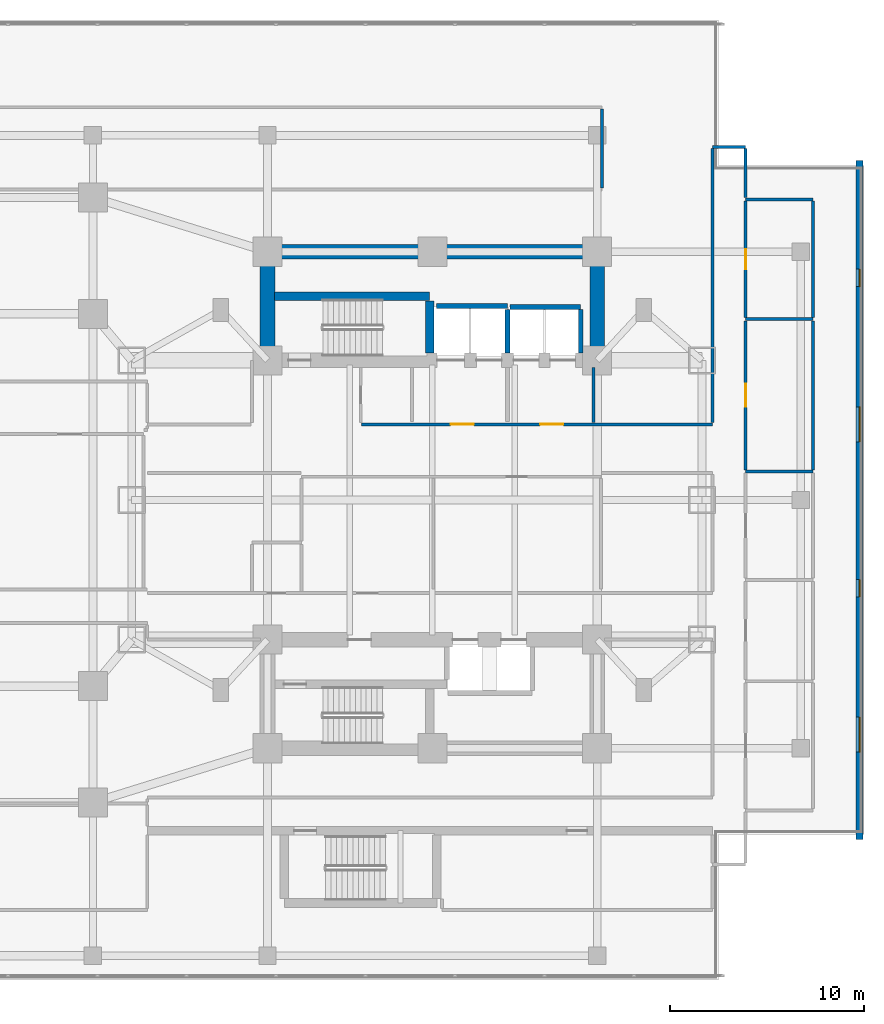
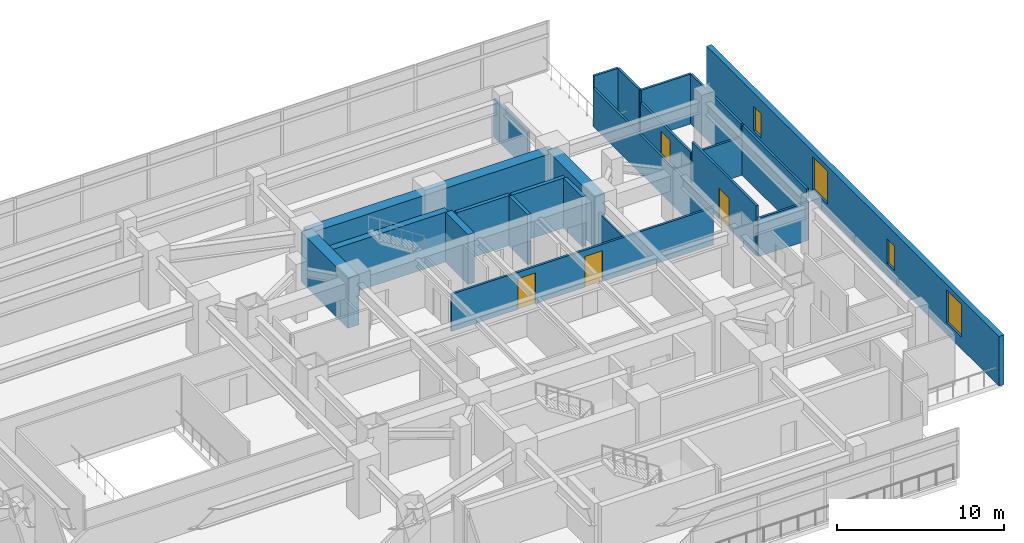
# One storey, part 18 of 26: 23 walls, 4 doors, 4 windows, 8 openings.
"""IFC4 building model written with IfcOpenShell, lengths in metres."""

from ifc_helpers import new_model, si_unit, direction, frame, frame_2d, origin, place, context, subcontext, project, spatial, rectangle, extrude, material, layer, layer_set, type_object, element, fill, save


model = new_model("IFC4")

# Units and contexts
model_context = context("Model", 3, precision=1e-05, world=origin(), true_north=direction((0.0, 1.0)))
body_context = subcontext(model_context, "Body", "Model", "MODEL_VIEW")
ifc_project = project(units=[si_unit("LENGTHUNIT", "METRE"), si_unit("AREAUNIT", "SQUARE_METRE"), si_unit("VOLUMEUNIT", "CUBIC_METRE"), si_unit("PLANEANGLEUNIT", "RADIAN"), si_unit("MASSUNIT", "GRAM", prefix="KILO")], contexts=[model_context])

# Site, building, storey
site_placement = place(None, origin())
site = spatial("IfcSite", under=ifc_project, at=site_placement, CompositionType="ELEMENT")
building_placement = place(site_placement, origin())
building = spatial("IfcBuilding", under=site, at=building_placement, Name="Mirazonda Arch Towers", CompositionType="ELEMENT")
storey_placement = place(building_placement, frame((0.0, 0.0, 13.800048828125)))
storey = spatial("IfcBuildingStorey", under=building, at=storey_placement, Name="L03", CompositionType="ELEMENT", Elevation=13.800048828125)

# Walls
ifc_material_1 = material(Name="Concrete C50/60", Category="concrete")
ifc_layer_1 = layer(ifc_material_1, 0.449951171875, Name="WALL-CORE-450")
ifc_layer_set_1 = layer_set([ifc_layer_1], Name="Concrete C50/60")
wall_type_1 = type_object("IfcWallType", Name="WALL-CORE-450", PredefinedType="SHEAR", material=ifc_layer_set_1)
wall_1_placement = place(storey_placement, frame((68.3701171875, 38.5, 0.0), z_axis=(0.0, 0.0, 1.0), x_axis=(1.0, 0.0, 0.0)))
element("IfcWall", 1, at=wall_1_placement, inside=storey, type_object=wall_type_1, Name="L03 Stair Core Shear Wall 051", PredefinedType="SHEAR", context=body_context, shape_type="SweptSolid", body=[
    extrude(rectangle(XDim=7.989990234375, YDim=0.449951171875, at=frame_2d((3.9951171875, 0.0))), origin(), (0.0, 0.0, 1.0), 3.64990234375),
])
wall_2_placement = place(storey_placement, frame((76.360107421875, 35.570068359375, 0.0), z_axis=(0.0, 0.0, 1.0), x_axis=(0.0, 1.0, 0.0)))
element("IfcWall", 2, at=wall_2_placement, inside=storey, type_object=wall_type_1, Name="L03 Stair Core Shear Wall 118", PredefinedType="SHEAR", context=body_context, shape_type="SweptSolid", body=[
    extrude(rectangle(XDim=2.69482421875, YDim=0.449951171875, at=frame_2d((1.347412109375, 0.0))), origin(), (0.0, 0.0, 1.0), 3.64990234375),
])
ifc_material_2 = material(Name="Concrete C60/75", Category="concrete")
ifc_layer_2 = layer(ifc_material_2, 0.75, Name="WALL-CORE-750")
ifc_layer_set_2 = layer_set([ifc_layer_2], Name="Concrete C60/75")
wall_type_2 = type_object("IfcWallType", Name="WALL-CORE-750", PredefinedType="SHEAR", material=ifc_layer_set_2)
wall_3_placement = place(storey_placement, frame((68.0, 40.800048828125, 0.0), z_axis=(0.0, 0.0, 1.0), x_axis=(1.0, 0.0, 0.0)))
element("IfcWall", 3, at=wall_3_placement, inside=storey, type_object=wall_type_2, Name="L03 T2N-N Core Shear Wall", PredefinedType="SHEAR", context=body_context, shape_type="SweptSolid", body=[
    extrude(rectangle(XDim=17.0, YDim=0.75, at=frame_2d((8.5, 0.0))), origin(), (0.0, 0.0, 1.0), 3.64990234375),
])
for number, where, z_axis, x_axis, name in (
    (4, (68.0, 35.199951171875, 0.0), (0.0, 0.0, 1.0), (0.0, 1.0, 0.0), "L03 T2N-W Core Shear Wall"),
    (5, (85.0, 35.199951171875, 0.0), (0.0, 0.0, 1.0), (0.0, 1.0, 0.0), "L03 T2N-E Core Shear Wall"),
):
    element("IfcWall", number, at=place(storey_placement, frame(where, z_axis=z_axis, x_axis=x_axis)), inside=storey, type_object=wall_type_2, Name=name, PredefinedType="SHEAR", context=body_context, shape_type="SweptSolid", body=[
        extrude(rectangle(XDim=5.60009765625, YDim=0.75, at=frame_2d((2.800048828125, 0.0))), origin(), (0.0, 0.0, 1.0), 3.64990234375),
    ])

# Wall, openings, windows
ifc_material_3 = material(Name="Precast Concrete C40/50", Category="concrete")
ifc_layer_3 = layer(ifc_material_3, 0.35009765625, Name="WALL-EXT-WALL-350")
ifc_layer_set_3 = layer_set([ifc_layer_3], Name="Precast Concrete C40/50")
wall_type_3 = type_object("IfcWallType", Name="WALL-EXT-WALL-350", PredefinedType="SOLIDWALL", material=ifc_layer_set_3)
wall_4_placement = place(storey_placement, frame((98.530029296875, 10.5, 0.0), z_axis=(0.0, 0.0, 1.0), x_axis=(0.0, 1.0, 0.0)))
wall_4 = element("IfcWall", 6, at=wall_4_placement, inside=storey, type_object=wall_type_3, Name="L03 East Podium Terracotta Wall WL-L03-EE", PredefinedType="SOLIDWALL", context=body_context, shape_type="SweptSolid", body=[
    extrude(rectangle(XDim=35.0, YDim=0.35009765625, at=frame_2d((17.5, 0.0))), origin(), (0.0, 0.0, 1.0), 3.6298828125),
])
opening_1_placement = place(wall_4_placement, frame((4.5, 0.0, 0.85009765625)))
opening_1 = element("IfcOpeningElement", 7, at=opening_1_placement, cuts=wall_4, Name="Opening WN-128", PredefinedType="OPENING", context=body_context, shape_type="SweptSolid", body=[
    extrude(rectangle(XDim=1.800048828125, YDim=2.39990234375, at=frame_2d((0.89990234375, 1.199951171875))), frame((0.0, 0.18505859375, 0.0), z_axis=(0.0, -1.0, 0.0), x_axis=(1.0, 0.0, 0.0)), (0.0, 0.0, 1.0), 0.3701171875),
])
opening_2_placement = place(wall_4_placement, frame((12.5, 0.0, 0.85009765625)))
opening_2 = element("IfcOpeningElement", 8, at=opening_2_placement, cuts=wall_4, Name="Opening WN-101", PredefinedType="OPENING", context=body_context, shape_type="SweptSolid", body=[
    extrude(rectangle(XDim=0.89990234375, YDim=1.800048828125, at=frame_2d((0.449951171875, 0.89990234375))), frame((0.0, 0.18505859375, 0.0), z_axis=(0.0, -1.0, 0.0), x_axis=(1.0, 0.0, 0.0)), (0.0, 0.0, 1.0), 0.3701171875),
])
opening_3_placement = place(wall_4_placement, frame((20.5, 0.0, 0.85009765625)))
opening_3 = element("IfcOpeningElement", 9, at=opening_3_placement, cuts=wall_4, Name="Opening WN-128", PredefinedType="OPENING", context=body_context, shape_type="SweptSolid", body=[
    extrude(rectangle(XDim=1.800048828125, YDim=2.39990234375, at=frame_2d((0.89990234375, 1.199951171875))), frame((0.0, 0.18505859375, 0.0), z_axis=(0.0, -1.0, 0.0), x_axis=(1.0, 0.0, 0.0)), (0.0, 0.0, 1.0), 0.3701171875),
])
opening_4_placement = place(wall_4_placement, frame((28.5, 0.0, 0.85009765625)))
opening_4 = element("IfcOpeningElement", 10, at=opening_4_placement, cuts=wall_4, Name="Opening WN-101", PredefinedType="OPENING", context=body_context, shape_type="SweptSolid", body=[
    extrude(rectangle(XDim=0.89990234375, YDim=1.800048828125, at=frame_2d((0.449951171875, 0.89990234375))), frame((0.0, 0.18505859375, 0.0), z_axis=(0.0, -1.0, 0.0), x_axis=(1.0, 0.0, 0.0)), (0.0, 0.0, 1.0), 0.3701171875),
])
ifc_material_4 = material(Name="Insulated Low-E Solar Glass", Category="glass")
window_type_1 = type_object("IfcWindowType", Name="WIN-POD-1800x2400", PartitioningType="SINGLE_PANEL", PredefinedType="WINDOW", material=ifc_material_4)
window_1_placement = place(opening_1_placement, origin())
window_1 = element("IfcWindow", 11, at=window_1_placement, inside=storey, type_object=window_type_1, Name="L03 Punched Facade Window WN-L03-EE1", OverallHeight=2.39990234375, OverallWidth=1.800048828125, PartitioningType="SINGLE_PANEL", PredefinedType="WINDOW", context=body_context, shape_type="SweptSolid", body=[
    extrude(rectangle(XDim=1.800048828125, YDim=2.39990234375, at=frame_2d((0.89990234375, 1.199951171875))), frame((0.0, 0.030029296875, 0.0), z_axis=(0.0, -1.0, 0.0), x_axis=(1.0, 0.0, 0.0)), (0.0, 0.0, 1.0), 0.06005859375),
])
fill(opening_1, window_1)
window_2_placement = place(opening_3_placement, origin())
window_2 = element("IfcWindow", 12, at=window_2_placement, inside=storey, type_object=window_type_1, Name="L03 Punched Facade Window WN-L03-EE3", OverallHeight=2.39990234375, OverallWidth=1.800048828125, PartitioningType="SINGLE_PANEL", PredefinedType="WINDOW", context=body_context, shape_type="SweptSolid", body=[
    extrude(rectangle(XDim=1.800048828125, YDim=2.39990234375, at=frame_2d((0.89990234375, 1.199951171875))), frame((0.0, 0.030029296875, 0.0), z_axis=(0.0, -1.0, 0.0), x_axis=(1.0, 0.0, 0.0)), (0.0, 0.0, 1.0), 0.06005859375),
])
fill(opening_3, window_2)
window_type_2 = type_object("IfcWindowType", Name="WIN-STAIR-900x1800", PartitioningType="SINGLE_PANEL", PredefinedType="WINDOW", material=ifc_material_4)
window_3_placement = place(opening_2_placement, origin())
window_3 = element("IfcWindow", 13, at=window_3_placement, inside=storey, type_object=window_type_2, Name="L03 Punched Facade Window WN-L03-EE2", OverallHeight=1.800048828125, OverallWidth=0.89990234375, PartitioningType="SINGLE_PANEL", PredefinedType="WINDOW", context=body_context, shape_type="SweptSolid", body=[
    extrude(rectangle(XDim=0.89990234375, YDim=1.800048828125, at=frame_2d((0.449951171875, 0.89990234375))), frame((0.0, 0.030029296875, 0.0), z_axis=(0.0, -1.0, 0.0), x_axis=(1.0, 0.0, 0.0)), (0.0, 0.0, 1.0), 0.06005859375),
])
fill(opening_2, window_3)
window_4_placement = place(opening_4_placement, origin())
window_4 = element("IfcWindow", 14, at=window_4_placement, inside=storey, type_object=window_type_2, Name="L03 Punched Facade Window WN-L03-EE4", OverallHeight=1.800048828125, OverallWidth=0.89990234375, PartitioningType="SINGLE_PANEL", PredefinedType="WINDOW", context=body_context, shape_type="SweptSolid", body=[
    extrude(rectangle(XDim=0.89990234375, YDim=1.800048828125, at=frame_2d((0.449951171875, 0.89990234375))), frame((0.0, 0.030029296875, 0.0), z_axis=(0.0, -1.0, 0.0), x_axis=(1.0, 0.0, 0.0)), (0.0, 0.0, 1.0), 0.06005859375),
])
fill(opening_4, window_4)

# Wall
ifc_material_5 = material(Name="Fire-Rated Gypsum Stud Partition")
ifc_layer_4 = layer(ifc_material_5, 0.14990234375, Name="WALL-PART-CORR-150")
ifc_layer_set_4 = layer_set([ifc_layer_4], Name="Fire-Rated Gypsum Stud Partition")
wall_type_4 = type_object("IfcWallType", Name="WALL-PART-CORR-150", PredefinedType="PARTITIONING", material=ifc_layer_set_4)
wall_5_placement = place(storey_placement, frame((92.64990234375, 29.469970703125, 0.0), z_axis=(0.0, 0.0, 1.0), x_axis=(1.0, 0.0, 0.0)))
element("IfcWall", 15, at=wall_5_placement, inside=storey, type_object=wall_type_4, Name="L03 Interior Partition 038", PredefinedType="PARTITIONING", context=body_context, shape_type="SweptSolid", body=[
    extrude(rectangle(XDim=3.47509765625, YDim=0.14990234375, at=frame_2d((1.737548828125, 0.0))), origin(), (0.0, 0.0, 1.0), 2.785888671875),
])

# Wall, openings, doors
wall_6_placement = place(storey_placement, frame((72.85009765625, 31.89990234375, 0.0), z_axis=(0.0, 0.0, 1.0), x_axis=(1.0, 0.0, 0.0)))
wall_6 = element("IfcWall", 16, at=wall_6_placement, inside=storey, type_object=wall_type_4, Name="L03 Interior Partition 044", PredefinedType="PARTITIONING", context=body_context, shape_type="SweptSolid", body=[
    extrude(rectangle(XDim=18.099853515625, YDim=0.14990234375, at=frame_2d((9.0498046875, 0.0))), origin(), (0.0, 0.0, 1.0), 2.71484375),
])
opening_5_placement = place(wall_6_placement, frame((9.2099609375, 0.0, 0.0)))
opening_5 = element("IfcOpeningElement", 17, at=opening_5_placement, cuts=wall_6, Name="Opening DR-117", PredefinedType="OPENING", context=body_context, shape_type="SweptSolid", body=[
    extrude(rectangle(XDim=1.199951171875, YDim=2.25, at=frame_2d((0.60009765625, 1.125))), frame((0.0, 0.0849609375, 0.0), z_axis=(0.0, -1.0, 0.0), x_axis=(1.0, 0.0, 0.0)), (0.0, 0.0, 1.0), 0.169921875),
])
opening_6_placement = place(wall_6_placement, frame((4.590087890625, 0.0, 0.0)))
opening_6 = element("IfcOpeningElement", 18, at=opening_6_placement, cuts=wall_6, Name="Opening DR-117", PredefinedType="OPENING", context=body_context, shape_type="SweptSolid", body=[
    extrude(rectangle(XDim=1.199951171875, YDim=2.25, at=frame_2d((0.60009765625, 1.125))), frame((0.0, 0.0849609375, 0.0), z_axis=(0.0, -1.0, 0.0), x_axis=(1.0, 0.0, 0.0)), (0.0, 0.0, 1.0), 0.169921875),
])
ifc_material_6 = material(Name="Architectural Brushed Steel S355", Category="steel")
door_type_1 = type_object("IfcDoorType", Name="DOOR-FFL-FD90-1200", OperationType="NOTDEFINED", PredefinedType="DOOR", material=ifc_material_6)
door_1_placement = place(opening_5_placement, origin())
door_1 = element("IfcDoor", 19, at=door_1_placement, inside=storey, type_object=door_type_1, Name="L03 East Passenger Lift Lobby Door", OperationType="SINGLE_SWING_LEFT", OverallHeight=2.25, OverallWidth=1.199951171875, PredefinedType="DOOR", context=body_context, shape_type="SweptSolid", body=[
    extrude(rectangle(XDim=1.199951171875, YDim=2.25, at=frame_2d((0.60009765625, 1.125))), frame((0.0, 0.02490234375, 0.0), z_axis=(0.0, -1.0, 0.0), x_axis=(1.0, 0.0, 0.0)), (0.0, 0.0, 1.0), 0.050048828125),
])
fill(opening_5, door_1)
door_2_placement = place(opening_6_placement, origin())
door_2 = element("IfcDoor", 20, at=door_2_placement, inside=storey, type_object=door_type_1, Name="L03 East Firefighting Lift Lobby Door", OperationType="SINGLE_SWING_LEFT", OverallHeight=2.25, OverallWidth=1.199951171875, PredefinedType="DOOR", context=body_context, shape_type="SweptSolid", body=[
    extrude(rectangle(XDim=1.199951171875, YDim=2.25, at=frame_2d((0.60009765625, 1.125))), frame((0.0, 0.02490234375, 0.0), z_axis=(0.0, -1.0, 0.0), x_axis=(1.0, 0.0, 0.0)), (0.0, 0.0, 1.0), 0.050048828125),
])
fill(opening_6, door_2)

# Walls
wall_7_placement = place(storey_placement, frame((92.64990234375, 37.326904296875, 0.0), z_axis=(0.0, 0.0, 1.0), x_axis=(1.0, 0.0, 0.0)))
element("IfcWall", 21, at=wall_7_placement, inside=storey, type_object=wall_type_4, Name="L03 Interior Partition 047", PredefinedType="PARTITIONING", context=body_context, shape_type="SweptSolid", body=[
    extrude(rectangle(XDim=3.47509765625, YDim=0.14990234375, at=frame_2d((1.737548828125, 0.0))), origin(), (0.0, 0.0, 1.0), 2.785888671875),
])
wall_8_placement = place(storey_placement, frame((92.64990234375, 43.5, 0.0), z_axis=(0.0, 0.0, 1.0), x_axis=(1.0, 0.0, 0.0)))
element("IfcWall", 22, at=wall_8_placement, inside=storey, type_object=wall_type_4, Name="L03 Interior Partition 054", PredefinedType="PARTITIONING", context=body_context, shape_type="SweptSolid", body=[
    extrude(rectangle(XDim=3.47509765625, YDim=0.14990234375, at=frame_2d((1.737548828125, 0.0))), origin(), (0.0, 0.0, 1.0), 3.64990234375),
])
wall_9_placement = place(storey_placement, frame((90.949951171875, 46.199951171875, 0.0), z_axis=(0.0, 0.0, 1.0), x_axis=(1.0, 0.0, 0.0)))
element("IfcWall", 23, at=wall_9_placement, inside=storey, type_object=wall_type_4, Name="L03 Interior Partition 059", PredefinedType="PARTITIONING", context=body_context, shape_type="SweptSolid", body=[
    extrude(rectangle(XDim=1.699951171875, YDim=0.14990234375, at=frame_2d((0.85009765625, 0.0))), origin(), (0.0, 0.0, 1.0), 3.64990234375),
])
wall_10_placement = place(storey_placement, frame((84.800048828125, 31.985107421875, 0.0), z_axis=(0.0, 0.0, 1.0), x_axis=(0.0, 1.0, 0.0)))
element("IfcWall", 24, at=wall_10_placement, inside=storey, type_object=wall_type_4, Name="L03 Interior Partition 127", PredefinedType="PARTITIONING", context=body_context, shape_type="SweptSolid", body=[
    extrude(rectangle(XDim=2.844970703125, YDim=0.14990234375, at=frame_2d((1.42236328125, 0.0))), origin(), (0.0, 0.0, 1.0), 2.71484375),
])
wall_11_placement = place(storey_placement, frame((85.25, 44.0849609375, 0.0), z_axis=(0.0, 0.0, 1.0), x_axis=(0.0, 1.0, 0.0)))
element("IfcWall", 25, at=wall_11_placement, inside=storey, type_object=wall_type_4, Name="L03 Interior Partition 129", PredefinedType="PARTITIONING", context=body_context, shape_type="SweptSolid", body=[
    extrude(rectangle(XDim=4.080078125, YDim=0.14990234375, at=frame_2d((2.0400390625, 0.0))), origin(), (0.0, 0.0, 1.0), 2.785888671875),
])
wall_12_placement = place(storey_placement, frame((90.949951171875, 31.985107421875, 0.0), z_axis=(0.0, 0.0, 1.0), x_axis=(0.0, 1.0, 0.0)))
element("IfcWall", 26, at=wall_12_placement, inside=storey, type_object=wall_type_4, Name="L03 Interior Partition 134", PredefinedType="PARTITIONING", context=body_context, shape_type="SweptSolid", body=[
    extrude(rectangle(XDim=14.1298828125, YDim=0.14990234375, at=frame_2d((7.06494140625, 0.0))), origin(), (0.0, 0.0, 1.0), 2.785888671875),
])

# Wall, opening, door
wall_13_placement = place(storey_placement, frame((92.64990234375, 29.554931640625, 0.0), z_axis=(0.0, 0.0, 1.0), x_axis=(0.0, 1.0, 0.0)))
wall_13 = element("IfcWall", 27, at=wall_13_placement, inside=storey, type_object=wall_type_4, Name="L03 Interior Partition 139", PredefinedType="PARTITIONING", context=body_context, shape_type="SweptSolid", body=[
    extrude(rectangle(XDim=7.68701171875, YDim=0.14990234375, at=frame_2d((3.843505859375, 0.0))), origin(), (0.0, 0.0, 1.0), 3.64990234375),
])
opening_7_placement = place(wall_13_placement, frame((3.243408203125, 0.0, 0.0)))
opening_7 = element("IfcOpeningElement", 28, at=opening_7_placement, cuts=wall_13, Name="Opening DR-117", PredefinedType="OPENING", context=body_context, shape_type="SweptSolid", body=[
    extrude(rectangle(XDim=1.199951171875, YDim=2.25, at=frame_2d((0.60009765625, 1.125))), frame((0.0, 0.0849609375, 0.0), z_axis=(0.0, -1.0, 0.0), x_axis=(1.0, 0.0, 0.0)), (0.0, 0.0, 1.0), 0.169921875),
])
door_3_placement = place(opening_7_placement, origin())
door_3 = element("IfcDoor", 29, at=door_3_placement, inside=storey, type_object=door_type_1, Name="L03 Bilateral Negotiation Suite 3 Door", OperationType="SINGLE_SWING_RIGHT", OverallHeight=2.25, OverallWidth=1.199951171875, PredefinedType="DOOR", context=body_context, shape_type="SweptSolid", body=[
    extrude(rectangle(XDim=1.199951171875, YDim=2.25, at=frame_2d((0.60009765625, 1.125))), frame((0.0, 0.02490234375, 0.0), z_axis=(0.0, -1.0, 0.0), x_axis=(1.0, 0.0, 0.0)), (0.0, 0.0, 1.0), 0.050048828125),
])
fill(opening_7, door_3)

wall_14_placement = place(storey_placement, frame((92.64990234375, 37.412109375, 0.0), z_axis=(0.0, 0.0, 1.0), x_axis=(0.0, 1.0, 0.0)))
wall_14 = element("IfcWall", 30, at=wall_14_placement, inside=storey, type_object=wall_type_4, Name="L03 Interior Partition 140", PredefinedType="PARTITIONING", context=body_context, shape_type="SweptSolid", body=[
    extrude(rectangle(XDim=6.0029296875, YDim=0.14990234375, at=frame_2d((3.00146484375, 0.0))), origin(), (0.0, 0.0, 1.0), 2.785888671875),
])
opening_8_placement = place(wall_14_placement, frame((2.4765625, 0.0, 0.0)))
opening_8 = element("IfcOpeningElement", 31, at=opening_8_placement, cuts=wall_14, Name="Opening DR-121", PredefinedType="OPENING", context=body_context, shape_type="SweptSolid", body=[
    extrude(rectangle(XDim=1.050048828125, YDim=2.199951171875, at=frame_2d((0.52490234375, 1.10009765625))), frame((0.0, 0.0849609375, 0.0), z_axis=(0.0, -1.0, 0.0), x_axis=(1.0, 0.0, 0.0)), (0.0, 0.0, 1.0), 0.169921875),
])
door_type_2 = type_object("IfcDoorType", Name="DOOR-SUITE-FD60-1050", OperationType="NOTDEFINED", PredefinedType="DOOR", material=ifc_material_6)
door_4_placement = place(opening_8_placement, origin())
door_4 = element("IfcDoor", 32, at=door_4_placement, inside=storey, type_object=door_type_2, Name="L03 Catering & Pre-Function Pantry 3B Door", OperationType="SINGLE_SWING_LEFT", OverallHeight=2.199951171875, OverallWidth=1.050048828125, PredefinedType="DOOR", context=body_context, shape_type="SweptSolid", body=[
    extrude(rectangle(XDim=1.050048828125, YDim=2.199951171875, at=frame_2d((0.52490234375, 1.10009765625))), frame((0.0, 0.02490234375, 0.0), z_axis=(0.0, -1.0, 0.0), x_axis=(1.0, 0.0, 0.0)), (0.0, 0.0, 1.0), 0.050048828125),
])
fill(opening_8, door_4)

# Walls
wall_15_placement = place(storey_placement, frame((92.64990234375, 43.5849609375, 0.0), z_axis=(0.0, 0.0, 1.0), x_axis=(0.0, 1.0, 0.0)))
element("IfcWall", 33, at=wall_15_placement, inside=storey, type_object=wall_type_4, Name="L03 Interior Partition 141", PredefinedType="PARTITIONING", context=body_context, shape_type="SweptSolid", body=[
    extrude(rectangle(XDim=2.530029296875, YDim=0.14990234375, at=frame_2d((1.26513671875, 0.0))), origin(), (0.0, 0.0, 1.0), 3.64990234375),
])
wall_16_placement = place(storey_placement, frame((96.125, 29.554931640625, 0.0), z_axis=(0.0, 0.0, 1.0), x_axis=(0.0, 1.0, 0.0)))
element("IfcWall", 34, at=wall_16_placement, inside=storey, type_object=wall_type_4, Name="L03 Interior Partition 145", PredefinedType="PARTITIONING", context=body_context, shape_type="SweptSolid", body=[
    extrude(rectangle(XDim=7.68701171875, YDim=0.14990234375, at=frame_2d((3.843505859375, 0.0))), origin(), (0.0, 0.0, 1.0), 3.64990234375),
])
wall_17_placement = place(storey_placement, frame((96.125, 37.412109375, 0.0), z_axis=(0.0, 0.0, 1.0), x_axis=(0.0, 1.0, 0.0)))
element("IfcWall", 35, at=wall_17_placement, inside=storey, type_object=wall_type_4, Name="L03 Interior Partition 146", PredefinedType="PARTITIONING", context=body_context, shape_type="SweptSolid", body=[
    extrude(rectangle(XDim=6.0029296875, YDim=0.14990234375, at=frame_2d((3.00146484375, 0.0))), origin(), (0.0, 0.0, 1.0), 3.64990234375),
])
ifc_material_7 = material(Name="Concrete C40/50", Category="concrete")
ifc_layer_5 = layer(ifc_material_7, 0.25, Name="WALL-SHAFT-250")
ifc_layer_set_5 = layer_set([ifc_layer_5], Name="Concrete C40/50")
wall_type_5 = type_object("IfcWallType", Name="WALL-SHAFT-250", PredefinedType="SOLIDWALL", material=ifc_layer_set_5)
wall_18_placement = place(storey_placement, frame((80.5, 37.949951171875, 0.0), z_axis=(0.0, 0.0, 1.0), x_axis=(1.0, 0.0, 0.0)))
element("IfcWall", 36, at=wall_18_placement, inside=storey, type_object=wall_type_5, Name="L03 Interior Partition 049", PredefinedType="SOLIDWALL", context=body_context, shape_type="SweptSolid", body=[
    extrude(rectangle(XDim=3.64990234375, YDim=0.25, at=frame_2d((1.824951171875, 0.0))), origin(), (0.0, 0.0, 1.0), 3.64990234375),
])
wall_19_placement = place(storey_placement, frame((76.719970703125, 38.0, 0.0), z_axis=(0.0, 0.0, 1.0), x_axis=(1.0, 0.0, 0.0)))
element("IfcWall", 37, at=wall_19_placement, inside=storey, type_object=wall_type_5, Name="L03 Interior Partition 050", PredefinedType="SOLIDWALL", context=body_context, shape_type="SweptSolid", body=[
    extrude(rectangle(XDim=3.659912109375, YDim=0.25, at=frame_2d((1.830078125, 0.0))), origin(), (0.0, 0.0, 1.0), 3.64990234375),
])
for number, where, z_axis, x_axis, name in (
    (38, (80.3798828125, 35.570068359375, 0.0), (0.0, 0.0, 1.0), (0.0, 1.0, 0.0), "L03 Interior Partition 124"),
    (39, (84.14990234375, 35.570068359375, 0.0), (0.0, 0.0, 1.0), (0.0, 1.0, 0.0), "L03 Interior Partition 126"),
):
    element("IfcWall", number, at=place(storey_placement, frame(where, z_axis=z_axis, x_axis=x_axis)), inside=storey, type_object=wall_type_5, Name=name, PredefinedType="SOLIDWALL", context=body_context, shape_type="SweptSolid", body=[
        extrude(rectangle(XDim=2.244873046875, YDim=0.25, at=frame_2d((1.12255859375, 0.0))), origin(), (0.0, 0.0, 1.0), 3.64990234375),
    ])

save(model, "model.ifc")
